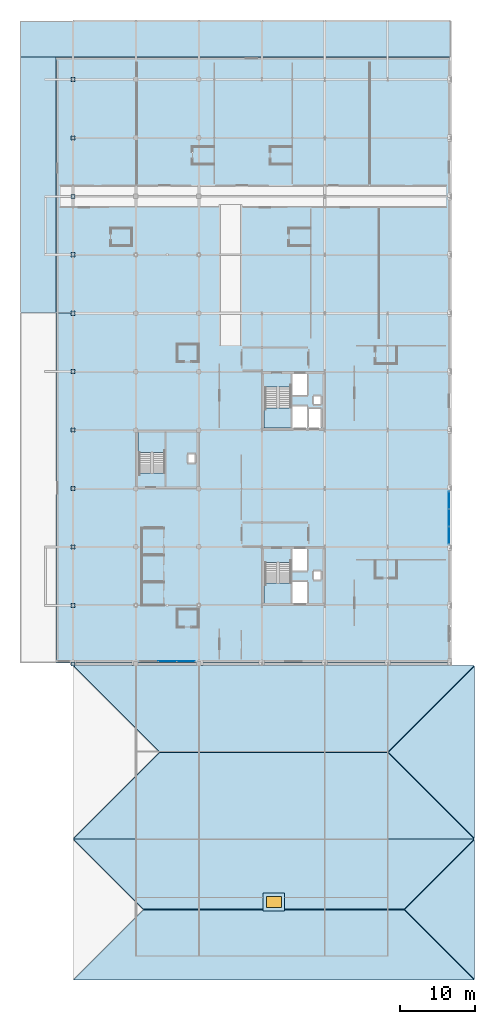
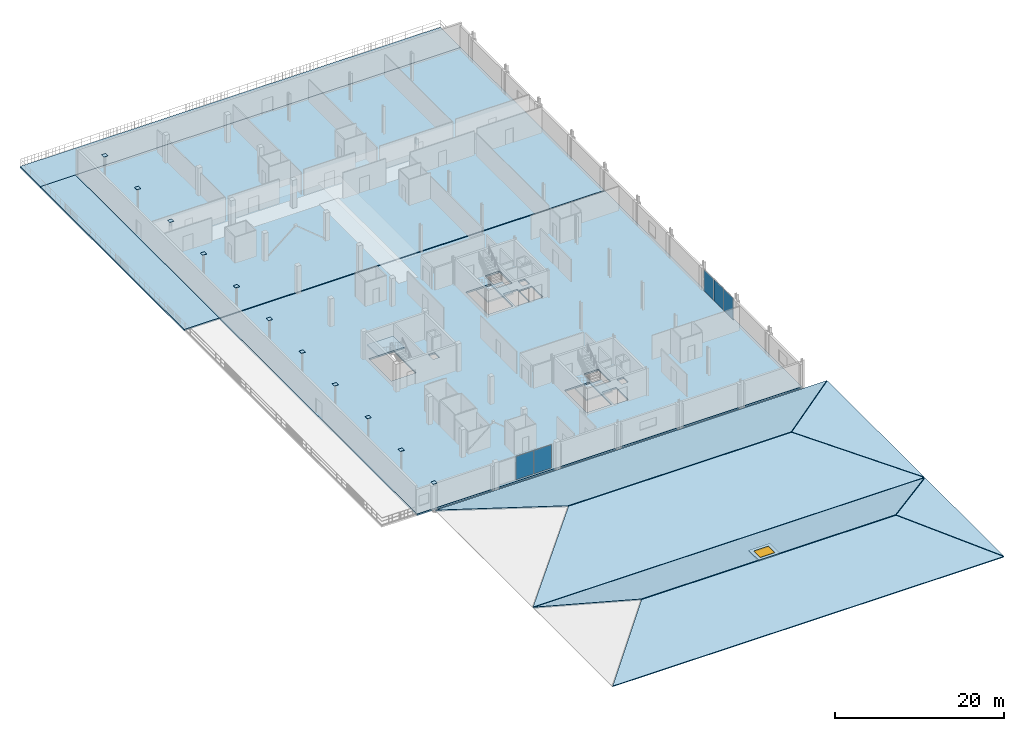
# One storey, part 13 of 25: 16 plates, 14 slabs, 1 window, 1 opening, 5 elements without a shape of their own.
"""IFC4 building model written with IfcOpenShell, lengths in metres."""

from ifc_helpers import new_model, si_unit, direction, frame, origin, origin_2d, place, context, subcontext, project, spatial, polyline, rectangle, outline, extrude, material, layer, layer_set, type_object, element, fill, aggregate, save


model = new_model("IFC4")

# Units and contexts
model_context = context("Model", 3, precision=1e-05, world=origin(), true_north=direction((0.0, 1.0)))
body_context = subcontext(model_context, "Body", "Model", "MODEL_VIEW")
ifc_project = project(units=[si_unit("LENGTHUNIT", "METRE"), si_unit("AREAUNIT", "SQUARE_METRE"), si_unit("VOLUMEUNIT", "CUBIC_METRE"), si_unit("PLANEANGLEUNIT", "RADIAN"), si_unit("MASSUNIT", "GRAM", prefix="KILO")], contexts=[model_context])

# Site, building, storey
site_placement = place(None, origin())
site = spatial("IfcSite", under=ifc_project, at=site_placement, CompositionType="ELEMENT")
building_placement = place(site_placement, origin())
building = spatial("IfcBuilding", under=site, at=building_placement, Name="Nabrawat Pavilion Hospital", CompositionType="ELEMENT")
storey_placement = place(building_placement, frame((0.0, 0.0, 22.949951171875)))
storey = spatial("IfcBuildingStorey", under=building, at=storey_placement, Name="L05", CompositionType="ELEMENT", Elevation=22.949951171875)

# Slabs
ifc_material_1 = material(Name="Concrete C35/45", Category="concrete")
ifc_layer_1 = layer(ifc_material_1, 0.22998046875, Name="Concrete C35/45")
ifc_layer_set_1 = layer_set([ifc_layer_1], Name="Concrete C35/45")
slab_type_1 = type_object("IfcSlabType", Name="Composite Upper Ward Floor Slab 230", PredefinedType="FLOOR", material=ifc_layer_set_1)
slab_1_placement = place(storey_placement, frame((0.0, 0.0, -0.22998046875)))
element("IfcSlab", 1, at=slab_1_placement, inside=storey, type_object=slab_type_1, Name="L05 Structural Floor Slab P_L05_V6_S", PredefinedType="FLOOR", context=body_context, shape_type="SweptSolid", body=[
    extrude(outline(polyline([(140.52001953125, 39.1201171875), (193.199951171875, 39.1201171875), (193.199951171875, 85.800048828125), (140.52001953125, 85.800048828125), (140.52001953125, 39.1201171875)]), holes=[polyline([(175.8798828125, 73.10009765625), (175.8798828125, 70.5), (174.1201171875, 70.5), (174.1201171875, 73.10009765625), (175.8798828125, 73.10009765625)]), polyline([(174.949951171875, 50.25), (174.949951171875, 51.35009765625), (175.85009765625, 51.35009765625), (175.85009765625, 50.25), (174.949951171875, 50.25)]), polyline([(174.949951171875, 73.64990234375), (174.949951171875, 74.75), (175.85009765625, 74.75), (175.85009765625, 73.64990234375), (174.949951171875, 73.64990234375)]), polyline([(172.10009765625, 51.39990234375), (172.10009765625, 54.300048828125), (174.10009765625, 54.300048828125), (174.10009765625, 51.39990234375), (172.10009765625, 51.39990234375)]), polyline([(172.10009765625, 74.800048828125), (172.10009765625, 77.699951171875), (174.10009765625, 77.699951171875), (174.10009765625, 74.800048828125), (172.10009765625, 74.800048828125)]), polyline([(174.06005859375, 50.0), (174.06005859375, 47.10009765625), (172.10009765625, 47.10009765625), (172.10009765625, 50.0), (174.06005859375, 50.0)]), polyline([(172.10009765625, 70.5), (172.10009765625, 73.39990234375), (174.06005859375, 73.39990234375), (174.06005859375, 70.5), (172.10009765625, 70.5)]), polyline([(171.85009765625, 47.25), (168.449951171875, 47.25), (168.449951171875, 52.530029296875), (171.85009765625, 52.530029296875), (171.85009765625, 47.25)]), polyline([(171.85009765625, 70.64990234375), (168.449951171875, 70.64990234375), (168.449951171875, 75.929931640625), (171.85009765625, 75.929931640625), (171.85009765625, 70.64990234375)]), polyline([(159.050048828125, 66.949951171875), (159.050048828125, 65.85009765625), (158.14990234375, 65.85009765625), (158.14990234375, 66.949951171875), (159.050048828125, 66.949951171875)]), polyline([(155.050048828125, 64.469970703125), (151.64990234375, 64.469970703125), (151.64990234375, 69.75), (155.050048828125, 69.75), (155.050048828125, 64.469970703125)])]), origin(), (0.0, 0.0, 1.0), 0.22998046875),
])
slab_2_placement = place(storey_placement, frame((0.0, 0.0, -0.22998046875)))
element("IfcSlab", 2, at=slab_2_placement, inside=storey, type_object=slab_type_1, Name="L05 Structural Floor Slab P_L05_V6_N", PredefinedType="FLOOR", context=body_context, shape_type="SweptSolid", body=[
    extrude(outline(polyline([(193.199951171875, 85.919921875), (193.199951171875, 120.0), (140.52001953125, 120.0), (140.52001953125, 85.919921875), (193.199951171875, 85.919921875)])), origin(), (0.0, 0.0, 1.0), 0.22998046875),
])
ifc_layer_2 = layer(ifc_material_1, 0.219970703125, Name="Concrete C35/45")
ifc_layer_set_2 = layer_set([ifc_layer_2], Name="Concrete C35/45")
slab_type_2 = type_object("IfcSlabType", Name="Exterior Recovery Terrace Slab 220", PredefinedType="FLOOR", material=ifc_layer_set_2)
slab_3_placement = place(storey_placement, frame((0.0, 0.0, -0.219970703125)))
element("IfcSlab", 3, at=slab_3_placement, inside=storey, type_object=slab_type_2, Name="L05 Walkable Clinical Terrace Slab T_L05_WARD_WEST_N", PredefinedType="FLOOR", context=body_context, shape_type="SweptSolid", body=[
    extrude(outline(polyline([(140.52001953125, 85.919921875), (140.52001953125, 120.0), (135.719970703125, 120.0), (135.719970703125, 85.919921875), (140.52001953125, 85.919921875)])), origin(), (0.0, 0.0, 1.0), 0.219970703125),
])
slab_4_placement = place(storey_placement, frame((0.0, 0.0, -0.219970703125)))
element("IfcSlab", 4, at=slab_4_placement, inside=storey, type_object=slab_type_2, Name="L05 Walkable Clinical Terrace Slab T_L05_WARD_NORTH", PredefinedType="FLOOR", context=body_context, shape_type="SweptSolid", body=[
    extrude(outline(polyline([(193.199951171875, 120.0), (193.199951171875, 124.800048828125), (135.719970703125, 124.800048828125), (135.719970703125, 120.0), (193.199951171875, 120.0)])), origin(), (0.0, 0.0, 1.0), 0.219970703125),
])

# Curtain wall, plates
ifc_material_2 = material(Name="Anodised Aluminium", Category="aluminium")
curtain_wall_type = type_object("IfcCurtainWallType", Name="Inpatient Dayroom Bay Curtain Wall", PredefinedType="USERDEFINED", material=ifc_material_2)
curtain_wall_1_placement = place(storey_placement, origin())
curtain_wall_1 = element("IfcCurtainWall", 5, at=curtain_wall_1_placement, inside=storey, type_object=curtain_wall_type, Name="L05 Inpatient Dayroom Bay Curtain Wall 151", ObjectType="CURTAIN WALL", PredefinedType="USERDEFINED")
ifc_material_3 = material(Name="Double-Glazed Low-E Glass", Category="glass")
ifc_layer_3 = layer(ifc_material_3, 0.02587890625, Name="Double-Glazed Low-E Glass")
ifc_layer_set_3 = layer_set([ifc_layer_3], Name="Double-Glazed Low-E Glass")
plate_type_1 = type_object("IfcPlateType", Name="Inpatient Dayroom Bay Curtain Wall Low-E Solar Panel 26", PredefinedType="CURTAIN_PANEL", material=ifc_layer_set_3)
plate_1_placement = place(storey_placement, frame((155.39990234375, 39.340087890625, 0.06005859375), z_axis=(0.0, 0.0, 1.0), x_axis=(1.0, 0.0, 0.0)))
plate_1 = element("IfcPlate", 6, at=plate_1_placement, type_object=plate_type_1, Name="CW-WRD-01 panel 2.1", PredefinedType="CURTAIN_PANEL", context=body_context, shape_type="SweptSolid", body=[
    extrude(rectangle(XDim=2.4267578125, YDim=0.02587890625, at=origin_2d()), origin(), (0.0, 0.0, 1.0), 3.389892578125),
])
plate_2_placement = place(storey_placement, frame((157.87158203125, 39.340087890625, 0.06005859375), z_axis=(0.0, 0.0, 1.0), x_axis=(1.0, 0.0, 0.0)))
plate_2 = element("IfcPlate", 7, at=plate_2_placement, type_object=plate_type_1, Name="CW-WRD-01 panel 3.1", PredefinedType="CURTAIN_PANEL", context=body_context, shape_type="SweptSolid", body=[
    extrude(rectangle(XDim=2.396728515625, YDim=0.02587890625, at=origin_2d()), origin(), (0.0, 0.0, 1.0), 3.389892578125),
])
aggregate(curtain_wall_1, [plate_1, plate_2])

curtain_wall_2_placement = place(storey_placement, origin())
curtain_wall_2 = element("IfcCurtainWall", 8, at=curtain_wall_2_placement, inside=storey, type_object=curtain_wall_type, Name="L05 Inpatient Dayroom Bay Curtain Wall 152", ObjectType="CURTAIN WALL", PredefinedType="USERDEFINED")
plate_3_placement = place(storey_placement, frame((192.97998046875, 56.17822265625, 0.06005859375), z_axis=(0.0, 0.0, 1.0), x_axis=(0.0, 1.0, 0.0)))
plate_3 = element("IfcPlate", 9, at=plate_3_placement, type_object=plate_type_1, Name="CW-WRD-01 panel 1.1", PredefinedType="CURTAIN_PANEL", context=body_context, shape_type="SweptSolid", body=[
    extrude(rectangle(XDim=2.24658203125, YDim=0.02587890625, at=origin_2d()), origin(), (0.0, 0.0, 1.0), 3.1298828125),
])
plate_4_placement = place(storey_placement, frame((192.97998046875, 58.5, 0.06005859375), z_axis=(0.0, 0.0, 1.0), x_axis=(0.0, 1.0, 0.0)))
plate_4 = element("IfcPlate", 10, at=plate_4_placement, type_object=plate_type_1, Name="CW-WRD-01 panel 2.1", PredefinedType="CURTAIN_PANEL", context=body_context, shape_type="SweptSolid", body=[
    extrude(rectangle(XDim=2.276611328125, YDim=0.02587890625, at=origin_2d()), origin(), (0.0, 0.0, 1.0), 3.1298828125),
])
plate_5_placement = place(storey_placement, frame((192.97998046875, 60.82177734375, 0.06005859375), z_axis=(0.0, 0.0, 1.0), x_axis=(0.0, 1.0, 0.0)))
plate_5 = element("IfcPlate", 11, at=plate_5_placement, type_object=plate_type_1, Name="CW-WRD-01 panel 3.1", PredefinedType="CURTAIN_PANEL", context=body_context, shape_type="SweptSolid", body=[
    extrude(rectangle(XDim=2.24658203125, YDim=0.02587890625, at=origin_2d()), origin(), (0.0, 0.0, 1.0), 3.1298828125),
])
aggregate(curtain_wall_2, [plate_3, plate_4, plate_5])

# Slabs
ifc_layer_4 = layer(ifc_material_1, 0.179931640625, Name="Concrete C35/45")
ifc_layer_set_4 = layer_set([ifc_layer_4], Name="Concrete C35/45")
slab_type_3 = type_object("IfcSlabType", Name="Pavilion Hipped Roof Deck Slab 180", PredefinedType="ROOF", material=ifc_layer_set_4)
slab_5_placement = place(storey_placement, frame((142.8583984375, -3.199951171875, 0.0), z_axis=(0.0, -0.357649078045, 0.933856057952), x_axis=(1.0, 0.0, 0.0)))
element("IfcSlab", 12, at=slab_5_placement, inside=storey, type_object=slab_type_3, Name="Outpatient South Pavilion South Hipped Roof Facet", PredefinedType="ROOF", context=body_context, shape_type="SweptSolid", body=[
    extrude(outline(polyline([(0.0, 0.0), (53.483154296875, 0.0), (44.140625, 10.003204085714604), (9.342529296875, 10.003204085714604), (0.0, 0.0)])), origin(), (0.0, 0.0, -1.0), 0.179931640625),
])
slab_6_placement = place(storey_placement, frame((196.341552734375, 15.60009765625, 0.0), z_axis=(0.0, 0.357640926709, 0.933859179718), x_axis=(-1.0, 0.0, 0.0)))
element("IfcSlab", 13, at=slab_6_placement, inside=storey, type_object=slab_type_3, Name="Outpatient South Pavilion North Hipped Roof Facet", PredefinedType="ROOF", context=body_context, shape_type="SweptSolid", body=[
    extrude(outline(polyline([(0.0, 0.0), (53.483154296875, 0.0), (44.140625, 10.00343207829733), (9.342529296875, 10.00343207829733), (0.0, 0.0)])), origin(), (0.0, 0.0, -1.0), 0.179931640625),
])
slab_7_placement = place(storey_placement, frame((196.39990234375, -3.1416015625, 0.0), z_axis=(0.357649078045, 0.0, 0.933856057952), x_axis=(0.0, 1.0, 0.0)))
element("IfcSlab", 14, at=slab_7_placement, inside=storey, type_object=slab_type_3, Name="Outpatient South Pavilion East Hipped Roof Facet", PredefinedType="ROOF", context=body_context, shape_type="SweptSolid", body=[
    extrude(outline(polyline([(0.0, 0.0), (18.68310546875, 0.0), (9.341552734375, 10.003204085714604), (0.0, 0.0)])), origin(), (0.0, 0.0, -1.0), 0.179931640625),
])
slab_8_placement = place(storey_placement, frame((142.84765625, 15.64990234375, 0.0), z_axis=(0.0, -0.297571094176, 0.954699661627), x_axis=(1.0, 0.0, 0.0)))
element("IfcSlab", 15, at=slab_8_placement, inside=storey, type_object=slab_type_3, Name="Outpatient North Pavilion South Hipped Roof Facet", PredefinedType="ROOF", context=body_context, shape_type="SweptSolid", body=[
    extrude(outline(polyline([(0.0, 0.0), (53.504638671875, 0.0), (42.00146484375, 12.04823031637542), (11.50341796875, 12.04823031637542), (0.0, 0.0)])), origin(), (0.0, 0.0, -1.0), 0.179931640625),
])
slab_9_placement = place(storey_placement, frame((196.352294921875, 38.75, 0.0), z_axis=(0.0, 0.297571094176, 0.954699661627), x_axis=(-1.0, 0.0, 0.0)))
element("IfcSlab", 16, at=slab_9_placement, inside=storey, type_object=slab_type_3, Name="Outpatient North Pavilion North Hipped Roof Facet", PredefinedType="ROOF", context=body_context, shape_type="SweptSolid", body=[
    extrude(outline(polyline([(0.0, 0.0), (53.504638671875, 0.0), (42.001220703125, 12.04823031637542), (11.503173828125, 12.04823031637542), (0.0, 0.0)])), origin(), (0.0, 0.0, -1.0), 0.179931640625),
])
slab_10_placement = place(storey_placement, frame((196.39990234375, 15.697509765625, 0.0), z_axis=(0.297576850991, 0.0, 0.954697867262), x_axis=(0.0, 1.0, 0.0)))
element("IfcSlab", 17, at=slab_10_placement, inside=storey, type_object=slab_type_3, Name="Outpatient North Pavilion East Hipped Roof Facet", PredefinedType="ROOF", context=body_context, shape_type="SweptSolid", body=[
    extrude(outline(polyline([(0.0, 0.0), (23.0048828125, 0.0), (11.50244140625, 12.047997235622377), (0.0, 0.0)])), origin(), (0.0, 0.0, -1.0), 0.179931640625),
])

# Plates
ifc_material_4 = material(Name="Steel S355", Category="steel")
ifc_layer_5 = layer(ifc_material_4, 0.030029296875, Name="Steel S355")
ifc_layer_set_5 = layer_set([ifc_layer_5], Name="Steel S355")
plate_type_2 = type_object("IfcPlateType", Name="Pavilion Splice Flange Plate 550x550x30", PredefinedType="USERDEFINED", material=ifc_layer_set_5)
for number, where, z_axis, x_axis, name in (
    (18, (142.800048828125, 39.0, 3.83984375), (0.0, 0.0, 1.0), (1.0, 0.0, 0.0), "L05 Hollow Column Head Cap Plate G-18-F1"),
    (19, (142.800048828125, 46.800048828125, 3.83984375), (0.0, 0.0, 1.0), (1.0, 0.0, 0.0), "L05 Hollow Column Head Cap Plate G-18-G"),
    (20, (142.800048828125, 54.60009765625, 3.83984375), (0.0, 0.0, 1.0), (1.0, 0.0, 0.0), "L05 Hollow Column Head Cap Plate G-18-H"),
    (21, (142.800048828125, 62.39990234375, 3.83984375), (0.0, 0.0, 1.0), (1.0, 0.0, 0.0), "L05 Hollow Column Head Cap Plate G-18-J"),
    (22, (142.800048828125, 70.199951171875, 3.83984375), (0.0, 0.0, 1.0), (1.0, 0.0, 0.0), "L05 Hollow Column Head Cap Plate G-18-K"),
    (23, (142.800048828125, 78.0, 3.83984375), (0.0, 0.0, 1.0), (1.0, 0.0, 0.0), "L05 Hollow Column Head Cap Plate G-18-L"),
    (24, (142.800048828125, 85.800048828125, 3.83984375), (0.0, 0.0, 1.0), (1.0, 0.0, 0.0), "L05 Hollow Column Head Cap Plate G-18-M1"),
    (25, (142.800048828125, 93.60009765625, 3.83984375), (0.0, 0.0, 1.0), (1.0, 0.0, 0.0), "L05 Hollow Column Head Cap Plate G-18-N"),
    (26, (142.800048828125, 101.39990234375, 3.83984375), (0.0, 0.0, 1.0), (1.0, 0.0, 0.0), "L05 Hollow Column Head Cap Plate G-18-P"),
    (27, (142.800048828125, 109.199951171875, 3.83984375), (0.0, 0.0, 1.0), (1.0, 0.0, 0.0), "L05 Hollow Column Head Cap Plate G-18-Q"),
    (28, (142.800048828125, 117.0, 3.83984375), (0.0, 0.0, 1.0), (1.0, 0.0, 0.0), "L05 Hollow Column Head Cap Plate G-18-R"),
):
    element("IfcPlate", number, at=place(storey_placement, frame(where, z_axis=z_axis, x_axis=x_axis)), inside=storey, type_object=plate_type_2, Name=name, ObjectType="FLANGE PLATE", PredefinedType="USERDEFINED", context=body_context, shape_type="SweptSolid", body=[
        extrude(rectangle(XDim=0.550048828125, YDim=0.550048828125, at=origin_2d()), origin(), (0.0, 0.0, 1.0), 0.030029296875),
    ])

# Stair, slab
stair_type = type_object("IfcStairType", Name="Ward Upper Dogleg Escape Stair Assembly", PredefinedType="HALF_TURN_STAIR", material=ifc_material_1)
stair_1_placement = place(storey_placement, origin())
stair_1 = element("IfcStair", 29, at=stair_1_placement, inside=storey, type_object=stair_type, Name="L05 Inpatient South Firefighting Core 5", PredefinedType="HALF_TURN_STAIR")
ifc_layer_6 = layer(ifc_material_1, 0.199951171875, Name="Concrete C35/45")
ifc_layer_set_6 = layer_set([ifc_layer_6], Name="Concrete C35/45")
slab_type_4 = type_object("IfcSlabType", Name="Reinforced Concrete Stair Half-Landing 200", PredefinedType="LANDING", material=ifc_layer_set_6)
slab_11_placement = place(storey_placement, frame((0.0, 0.0, 1.824951171875)))
slab_11 = element("IfcSlab", 30, at=slab_11_placement, type_object=slab_type_4, Name="ST-05 landing 1", PredefinedType="LANDING", context=body_context, shape_type="SweptSolid", body=[
    extrude(outline(polyline([(171.8701171875, 47.080078125), (171.8701171875, 49.780029296875), (168.280029296875, 49.780029296875), (168.280029296875, 47.080078125), (171.8701171875, 47.080078125)])), origin(), (0.0, 0.0, 1.0), 0.2001953125),
])
aggregate(stair_1, [slab_11])

stair_2_placement = place(storey_placement, origin())
stair_2 = element("IfcStair", 31, at=stair_2_placement, inside=storey, type_object=stair_type, Name="L05 Inpatient North Firefighting Core 6", PredefinedType="HALF_TURN_STAIR")
slab_12_placement = place(storey_placement, frame((0.0, 0.0, 1.824951171875)))
slab_12 = element("IfcSlab", 32, at=slab_12_placement, type_object=slab_type_4, Name="ST-06 landing 1", PredefinedType="LANDING", context=body_context, shape_type="SweptSolid", body=[
    extrude(outline(polyline([(171.8701171875, 70.47998046875), (171.8701171875, 73.179931640625), (168.280029296875, 73.179931640625), (168.280029296875, 70.47998046875), (171.8701171875, 70.47998046875)])), origin(), (0.0, 0.0, 1.0), 0.2001953125),
])
aggregate(stair_2, [slab_12])

stair_3_placement = place(storey_placement, origin())
stair_3 = element("IfcStair", 33, at=stair_3_placement, inside=storey, type_object=stair_type, Name="L05 Inpatient West Escape Stair Core 9", PredefinedType="HALF_TURN_STAIR")
slab_13_placement = place(storey_placement, frame((0.0, 0.0, 1.824951171875)))
slab_13 = element("IfcSlab", 34, at=slab_13_placement, type_object=slab_type_4, Name="ST-09 landing 1", PredefinedType="LANDING", context=body_context, shape_type="SweptSolid", body=[
    extrude(outline(polyline([(155.070068359375, 67.219970703125), (155.070068359375, 69.919921875), (151.47998046875, 69.919921875), (151.47998046875, 67.219970703125), (155.070068359375, 67.219970703125)])), origin(), (0.0, 0.0, 1.0), 0.2001953125),
])
aggregate(stair_3, [slab_13])

# Slab, opening, window
ifc_layer_7 = layer(ifc_material_1, 0.18994140625, Name="Concrete C35/45")
ifc_layer_set_7 = layer_set([ifc_layer_7], Name="Concrete C35/45")
slab_type_5 = type_object("IfcSlabType", Name="Rooflight Monitor Flat Roof Slab 190", PredefinedType="ROOF", material=ifc_layer_set_7)
slab_14_placement = place(storey_placement, frame((0.0, 0.0, 3.565673828125)))
slab_14 = element("IfcSlab", 35, at=slab_14_placement, inside=storey, type_object=slab_type_5, Name="L05 Pavilion Clerestory Skylight Curb Slab 06", PredefinedType="ROOF", context=body_context, shape_type="SweptSolid", body=[
    extrude(outline(polyline([(168.14990234375, 6.0), (171.050048828125, 6.0), (171.050048828125, 8.39990234375), (168.14990234375, 8.39990234375), (168.14990234375, 6.0)]), holes=[polyline([(168.60009765625, 6.449951171875), (168.60009765625, 7.949951171875), (170.60009765625, 7.949951171875), (170.60009765625, 6.449951171875), (168.60009765625, 6.449951171875)])]), origin(), (0.0, 0.0, 1.0), 0.18994140625),
])
opening_placement = place(slab_14_placement, frame((169.60009765625, 7.199951171875, -0.010009765625)))
opening = element("IfcOpeningElement", 36, at=opening_placement, cuts=slab_14, Name="Opening SKY-05", PredefinedType="OPENING", context=body_context, shape_type="SweptSolid", body=[
    extrude(rectangle(XDim=2.0, YDim=1.5, at=origin_2d()), origin(), (0.0, 0.0, 1.0), 0.2099609375),
])
ifc_material_5 = material(Name="Thermally Broken Aluminium and Solar Glass", Category="aluminium")
window_type = type_object("IfcWindowType", Name="Outpatient Pavilion Skylight 2000x1500", PartitioningType="SINGLE_PANEL", PredefinedType="SKYLIGHT", material=ifc_material_5)
window_placement = place(opening_placement, frame((0.0, 0.0, 0.14990234375)))
window = element("IfcWindow", 37, at=window_placement, inside=storey, type_object=window_type, Name="L05 Roof Daylight Skylight 12", OverallHeight=1.5, OverallWidth=2.0, PartitioningType="SINGLE_PANEL", PredefinedType="SKYLIGHT", context=body_context, shape_type="SweptSolid", body=[
    extrude(rectangle(XDim=2.0, YDim=1.5, at=origin_2d()), origin(), (0.0, 0.0, 1.0), 0.050048828125),
])
fill(opening, window)

save(model, "model.ifc")
